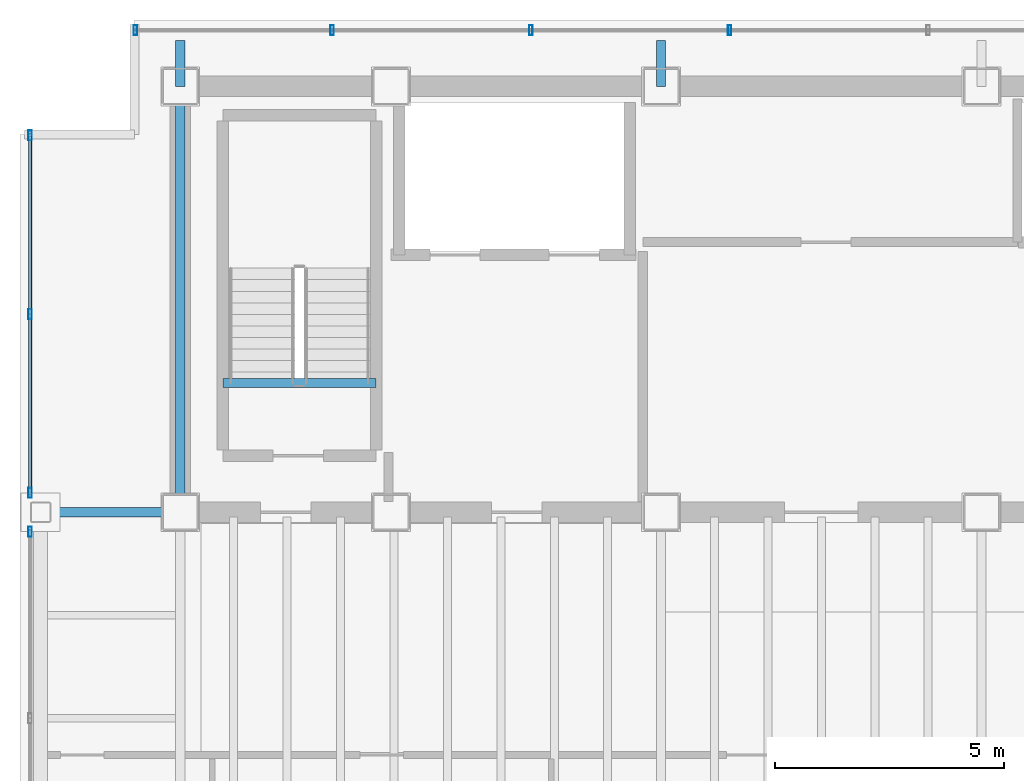
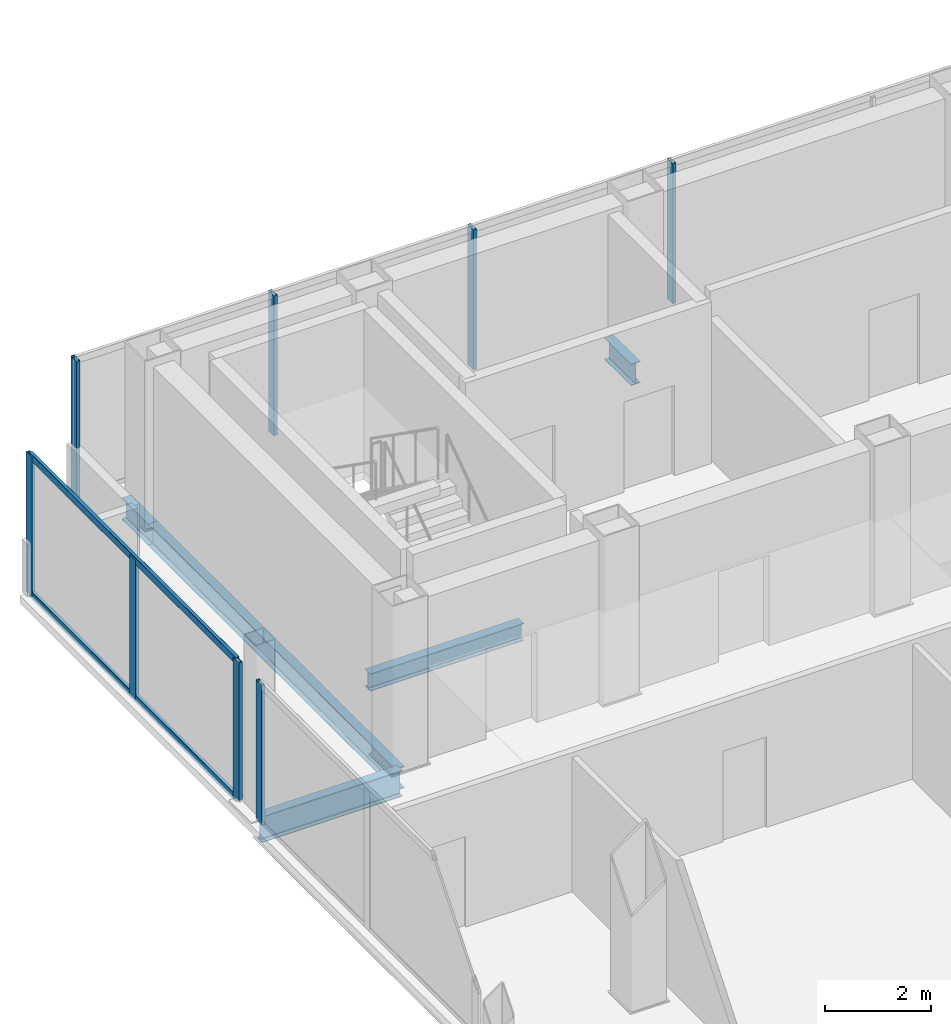
# One storey, part 6 of 15: 10 members, 5 beams, 3 elements without a shape of their own.
"""IFC4 building model written with IfcOpenShell, lengths in metres."""

from ifc_helpers import new_model, si_unit, direction, frame, origin, origin_2d, place, context, subcontext, project, spatial, hollow_rectangle, i_section, extrude, material, material_profile, profile_set, type_object, element, aggregate, save


model = new_model("IFC4")

# Units and contexts
model_context = context("Model", 3, precision=1e-05, world=origin(), true_north=direction((0.0, 1.0)))
body_context = subcontext(model_context, "Body", "Model", "MODEL_VIEW")
ifc_project = project(units=[si_unit("LENGTHUNIT", "METRE"), si_unit("AREAUNIT", "SQUARE_METRE"), si_unit("VOLUMEUNIT", "CUBIC_METRE"), si_unit("PLANEANGLEUNIT", "RADIAN"), si_unit("MASSUNIT", "GRAM", prefix="KILO")], contexts=[model_context])

# Site, building, storey
site_placement = place(None, origin())
site = spatial("IfcSite", under=ifc_project, at=site_placement, CompositionType="ELEMENT")
building_placement = place(site_placement, origin())
building = spatial("IfcBuilding", under=site, at=building_placement, Name="Noeulbin Bourse Tower", CompositionType="ELEMENT")
storey_placement = place(building_placement, frame((0.0, 0.0, 215.0)))
storey = spatial("IfcBuildingStorey", under=building, at=storey_placement, Name="L53", CompositionType="ELEMENT", Elevation=215.0)

# Beams
ifc_material_1 = material(Name="Steel S355", Category="steel")
ifc_material_profile_1 = material_profile(ifc_material_1, i_section(OverallWidth=0.199951171875, OverallDepth=0.5, WebThickness=0.010009765625, FlangeThickness=0.01611328125, FilletRadius=0.02001953125, at=origin_2d()), Name="H-500x200x10x16", Category="LoadBearing")
ifc_profile_set_1 = profile_set([ifc_material_profile_1], Name="Steel S355")
beam_type_1 = type_object("IfcBeamType", Name="BM-GRD-500", PredefinedType="USERDEFINED", material=ifc_profile_set_1)
beam_1_placement = place(storey_placement, frame((13.5, 29.0, -0.429931640625), z_axis=(0.0, 1.0, 0.0), x_axis=(-1.0, 0.0, 0.0)))
element("IfcBeam", 1, at=beam_1_placement, inside=storey, type_object=beam_type_1, Name="Tower Primary Girder NS L53-1.3", ObjectType="GIRDER", PredefinedType="USERDEFINED", context=body_context, shape_type="SweptSolid", body=[
    extrude(i_section(OverallWidth=0.199951171875, OverallDepth=0.5, WebThickness=0.010009765625, FlangeThickness=0.01611328125, FilletRadius=0.02001953125, at=origin_2d()), origin(), (0.0, 0.0, 1.0), 9.300048828125),
])
for number, where, z_axis, x_axis, name in (
    (2, (13.5, 38.300048828125, -0.429931640625), (0.0, 1.0, 0.0), (-1.0, 0.0, 0.0), "Tower Primary Girder NS L53-1.4"),
    (3, (24.0, 38.300048828125, -0.429931640625), (0.0, 1.0, 0.0), (-1.0, 0.0, 0.0), "Tower Primary Girder NS L53-2.4"),
):
    element("IfcBeam", number, at=place(storey_placement, frame(where, z_axis=z_axis, x_axis=x_axis)), inside=storey, type_object=beam_type_1, Name=name, ObjectType="GIRDER", PredefinedType="USERDEFINED", context=body_context, shape_type="SweptSolid", body=[
        extrude(i_section(OverallWidth=0.199951171875, OverallDepth=0.5, WebThickness=0.010009765625, FlangeThickness=0.01611328125, FilletRadius=0.02001953125, at=origin_2d()), origin(), (0.0, 0.0, 1.0), 1.0),
    ])
ifc_material_profile_2 = material_profile(ifc_material_1, i_section(OverallWidth=0.199951171875, OverallDepth=0.60009765625, WebThickness=0.010986328125, FlangeThickness=0.01708984375, FilletRadius=0.02197265625, at=origin_2d()), Name="H-600x200x11x17", Category="LoadBearing")
ifc_profile_set_2 = profile_set([ifc_material_profile_2], Name="Steel S355")
beam_type_2 = type_object("IfcBeamType", Name="BM-GRD-600", PredefinedType="USERDEFINED", material=ifc_profile_set_2)
beam_2_placement = place(storey_placement, frame((10.449951171875, 29.0, -0.47998046875), z_axis=(1.0, 0.0, 0.0), x_axis=(0.0, 1.0, 0.0)))
element("IfcBeam", 4, at=beam_2_placement, inside=storey, type_object=beam_type_2, Name="Tower Primary Girder EW L53-2.1", ObjectType="GIRDER", PredefinedType="USERDEFINED", context=body_context, shape_type="SweptSolid", body=[
    extrude(i_section(OverallWidth=0.199951171875, OverallDepth=0.60009765625, WebThickness=0.010986328125, FlangeThickness=0.01708984375, FilletRadius=0.02197265625, at=origin_2d()), origin(), (0.0, 0.0, 1.0), 3.050048828125),
])
ifc_material_profile_3 = material_profile(ifc_material_1, i_section(OverallWidth=0.199951171875, OverallDepth=0.39990234375, WebThickness=0.008056640625, FlangeThickness=0.012939453125, FilletRadius=0.01611328125, at=origin_2d()), Name="H-400x200x8x13", Category="LoadBearing")
ifc_profile_set_3 = profile_set([ifc_material_profile_3], Name="Steel S355")
beam_type_3 = type_object("IfcBeamType", Name="BM-SEC-400", PredefinedType="BEAM", material=ifc_profile_set_3)
beam_3_placement = place(storey_placement, frame((14.429931640625, 31.820068359375, -0.199951171875), z_axis=(1.0, 0.0, 0.0), x_axis=(0.0, 1.0, 0.0)))
element("IfcBeam", 5, at=beam_3_placement, inside=storey, type_object=beam_type_3, Name="Stair Threshold Trimmer Beam ST1-L53", PredefinedType="BEAM", context=body_context, shape_type="SweptSolid", body=[
    extrude(i_section(OverallWidth=0.199951171875, OverallDepth=0.39990234375, WebThickness=0.008056640625, FlangeThickness=0.012939453125, FilletRadius=0.01611328125, at=origin_2d()), origin(), (0.0, 0.0, 1.0), 3.340087890625),
])

# Curtain wall, members
ifc_material_2 = material(Name="High-Selectivity Low-Iron Glazing", Category="glass")
curtain_wall_type = type_object("IfcCurtainWallType", Name="CW-SYS-4", PredefinedType="NOTDEFINED", material=ifc_material_2)
curtain_wall_1_placement = place(storey_placement, origin())
curtain_wall_1 = element("IfcCurtainWall", 6, at=curtain_wall_1_placement, inside=storey, type_object=curtain_wall_type, Name="Unitised Curtain Wall CW-L53-N", PredefinedType="NOTDEFINED")
ifc_material_3 = material(Name="Anodised Aluminium 6063-T6", Category="aluminium")
ifc_material_profile_4 = material_profile(ifc_material_3, hollow_rectangle(XDim=0.074951171875, YDim=0.219970703125, WallThickness=0.0048828125, InnerFilletRadius=0.00244140625, OuterFilletRadius=0.0048828125, at=origin_2d()), Name="ALU-MULL-75x220x5", Category="LoadBearing")
ifc_profile_set_4 = profile_set([ifc_material_profile_4], Name="Anodised Aluminium 6063-T6")
member_type_1 = type_object("IfcMemberType", Name="CW-SYS-4-MUL", PredefinedType="MULLION", material=ifc_profile_set_4)
member_1_placement = place(storey_placement, frame((12.52001953125, 39.530029296875, -0.02001953125), z_axis=(0.0, 0.0, 1.0), x_axis=(1.0, 0.0, 0.0)))
member_1 = element("IfcMember", 7, at=member_1_placement, type_object=member_type_1, Name="Curtain Wall Mullion CW-L53-N-M00", PredefinedType="MULLION", context=body_context, shape_type="SweptSolid", body=[
    extrude(hollow_rectangle(XDim=0.074951171875, YDim=0.219970703125, WallThickness=0.0048828125, InnerFilletRadius=0.00244140625, OuterFilletRadius=0.0048828125, at=origin_2d()), origin(), (0.0, 0.0, 1.0), 3.219970703125),
])
member_2_placement = place(storey_placement, frame((16.81787109375, 39.530029296875, -0.02001953125), z_axis=(0.0, 0.0, 1.0), x_axis=(1.0, 0.0, 0.0)))
member_2 = element("IfcMember", 8, at=member_2_placement, type_object=member_type_1, Name="Curtain Wall Mullion CW-L53-N-M01", PredefinedType="MULLION", context=body_context, shape_type="SweptSolid", body=[
    extrude(hollow_rectangle(XDim=0.074951171875, YDim=0.219970703125, WallThickness=0.0048828125, InnerFilletRadius=0.00244140625, OuterFilletRadius=0.0048828125, at=origin_2d()), origin(), (0.0, 0.0, 1.0), 3.219970703125),
])
member_3_placement = place(storey_placement, frame((21.155517578125, 39.530029296875, -0.02001953125), z_axis=(0.0, 0.0, 1.0), x_axis=(1.0, 0.0, 0.0)))
member_3 = element("IfcMember", 9, at=member_3_placement, type_object=member_type_1, Name="Curtain Wall Mullion CW-L53-N-M02", PredefinedType="MULLION", context=body_context, shape_type="SweptSolid", body=[
    extrude(hollow_rectangle(XDim=0.074951171875, YDim=0.219970703125, WallThickness=0.0048828125, InnerFilletRadius=0.00244140625, OuterFilletRadius=0.0048828125, at=origin_2d()), origin(), (0.0, 0.0, 1.0), 3.219970703125),
])
member_4_placement = place(storey_placement, frame((25.493408203125, 39.530029296875, -0.02001953125), z_axis=(0.0, 0.0, 1.0), x_axis=(1.0, 0.0, 0.0)))
member_4 = element("IfcMember", 10, at=member_4_placement, type_object=member_type_1, Name="Curtain Wall Mullion CW-L53-N-M03", PredefinedType="MULLION", context=body_context, shape_type="SweptSolid", body=[
    extrude(hollow_rectangle(XDim=0.074951171875, YDim=0.219970703125, WallThickness=0.0048828125, InnerFilletRadius=0.00244140625, OuterFilletRadius=0.0048828125, at=origin_2d()), origin(), (0.0, 0.0, 1.0), 3.219970703125),
])
aggregate(curtain_wall_1, [member_1, member_2, member_3, member_4])

# Curtain wall, member
curtain_wall_2_placement = place(storey_placement, origin())
curtain_wall_2 = element("IfcCurtainWall", 11, at=curtain_wall_2_placement, inside=storey, type_object=curtain_wall_type, Name="Unitised Curtain Wall CW-L53-W-S2", PredefinedType="NOTDEFINED")
member_5_placement = place(storey_placement, frame((10.219970703125, 28.574951171875, -0.02001953125), z_axis=(0.0, 0.0, 1.0), x_axis=(1.0, 0.0, 0.0)))
member_5 = element("IfcMember", 12, at=member_5_placement, type_object=member_type_1, Name="Curtain Wall Mullion CW-L53-W-S2-M02", PredefinedType="MULLION", context=body_context, shape_type="SweptSolid", body=[
    extrude(hollow_rectangle(XDim=0.074951171875, YDim=0.219970703125, WallThickness=0.0048828125, InnerFilletRadius=0.00244140625, OuterFilletRadius=0.0048828125, at=origin_2d()), origin(), (0.0, 0.0, 1.0), 3.219970703125),
])
aggregate(curtain_wall_2, [member_5])

# Curtain wall, members
curtain_wall_3_placement = place(storey_placement, origin())
curtain_wall_3 = element("IfcCurtainWall", 13, at=curtain_wall_3_placement, inside=storey, type_object=curtain_wall_type, Name="Unitised Curtain Wall CW-L53-W-S3", PredefinedType="NOTDEFINED")
member_6_placement = place(storey_placement, frame((10.219970703125, 29.425048828125, -0.02001953125), z_axis=(0.0, 0.0, 1.0), x_axis=(1.0, 0.0, 0.0)))
member_6 = element("IfcMember", 14, at=member_6_placement, type_object=member_type_1, Name="Curtain Wall Mullion CW-L53-W-S3-M00", PredefinedType="MULLION", context=body_context, shape_type="SweptSolid", body=[
    extrude(hollow_rectangle(XDim=0.074951171875, YDim=0.219970703125, WallThickness=0.0048828125, InnerFilletRadius=0.00244140625, OuterFilletRadius=0.0048828125, at=origin_2d()), origin(), (0.0, 0.0, 1.0), 3.219970703125),
])
member_7_placement = place(storey_placement, frame((10.219970703125, 33.327392578125, -0.02001953125), z_axis=(0.0, 0.0, 1.0), x_axis=(1.0, 0.0, 0.0)))
member_7 = element("IfcMember", 15, at=member_7_placement, type_object=member_type_1, Name="Curtain Wall Mullion CW-L53-W-S3-M01", PredefinedType="MULLION", context=body_context, shape_type="SweptSolid", body=[
    extrude(hollow_rectangle(XDim=0.074951171875, YDim=0.219970703125, WallThickness=0.0048828125, InnerFilletRadius=0.00244140625, OuterFilletRadius=0.0048828125, at=origin_2d()), origin(), (0.0, 0.0, 1.0), 3.219970703125),
])
member_8_placement = place(storey_placement, frame((10.219970703125, 37.22998046875, -0.02001953125), z_axis=(0.0, 0.0, 1.0), x_axis=(1.0, 0.0, 0.0)))
member_8 = element("IfcMember", 16, at=member_8_placement, type_object=member_type_1, Name="Curtain Wall Mullion CW-L53-W-S3-M02", PredefinedType="MULLION", context=body_context, shape_type="SweptSolid", body=[
    extrude(hollow_rectangle(XDim=0.074951171875, YDim=0.219970703125, WallThickness=0.0048828125, InnerFilletRadius=0.00244140625, OuterFilletRadius=0.0048828125, at=origin_2d()), origin(), (0.0, 0.0, 1.0), 3.219970703125),
])
ifc_material_profile_5 = material_profile(ifc_material_3, hollow_rectangle(XDim=0.074951171875, YDim=0.159912109375, WallThickness=0.0048828125, InnerFilletRadius=0.00244140625, OuterFilletRadius=0.0048828125, at=origin_2d()), Name="ALU-TRAN-75x160x5", Category="LoadBearing")
ifc_profile_set_5 = profile_set([ifc_material_profile_5], Name="Anodised Aluminium 6063-T6")
member_type_2 = type_object("IfcMemberType", Name="CW-SYS-4-TRN", PredefinedType="USERDEFINED", material=ifc_profile_set_5)
member_9_placement = place(storey_placement, frame((10.219970703125, 29.43505859375, 0.010009765625), z_axis=(0.0, 1.0, 0.0), x_axis=(-1.0, 0.0, 0.0)))
member_9 = element("IfcMember", 17, at=member_9_placement, type_object=member_type_2, Name="Curtain Wall Transom CW-L53-W-S3-T00", ObjectType="TRANSOM", PredefinedType="USERDEFINED", context=body_context, shape_type="SweptSolid", body=[
    extrude(hollow_rectangle(XDim=0.074951171875, YDim=0.159912109375, WallThickness=0.0048828125, InnerFilletRadius=0.00244140625, OuterFilletRadius=0.0048828125, at=origin_2d()), origin(), (0.0, 0.0, 1.0), 7.784912109375),
])
member_10_placement = place(storey_placement, frame((10.219970703125, 29.43505859375, 3.169921875), z_axis=(0.0, 1.0, 0.0), x_axis=(-1.0, 0.0, 0.0)))
member_10 = element("IfcMember", 18, at=member_10_placement, type_object=member_type_2, Name="Curtain Wall Transom CW-L53-W-S3-T01", ObjectType="TRANSOM", PredefinedType="USERDEFINED", context=body_context, shape_type="SweptSolid", body=[
    extrude(hollow_rectangle(XDim=0.074951171875, YDim=0.159912109375, WallThickness=0.0048828125, InnerFilletRadius=0.00244140625, OuterFilletRadius=0.0048828125, at=origin_2d()), origin(), (0.0, 0.0, 1.0), 7.784912109375),
])
aggregate(curtain_wall_3, [member_6, member_7, member_8, member_9, member_10])

save(model, "model.ifc")
